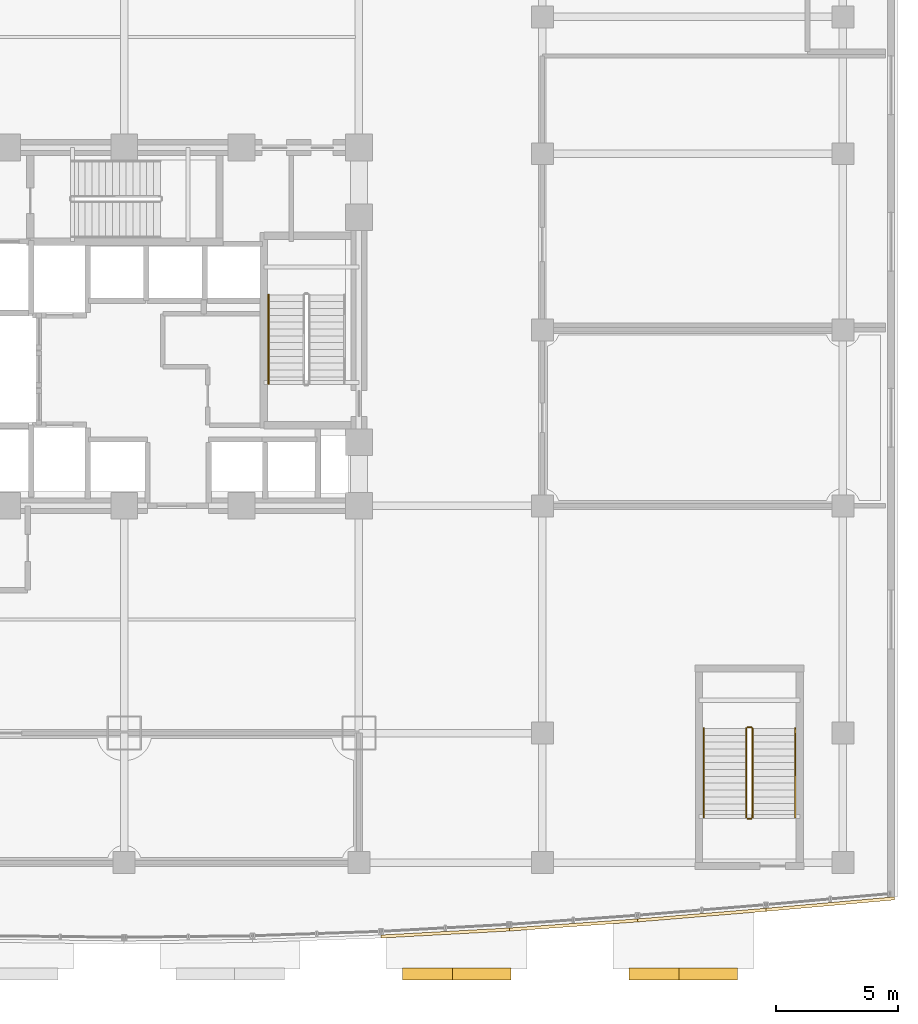
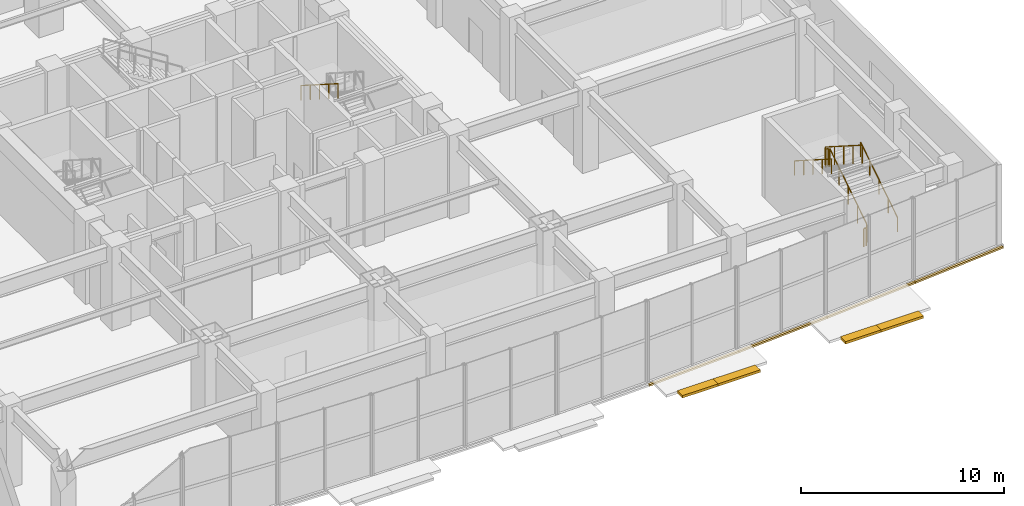
# One storey, part 19 of 24: 7 railings, 4 coverings, 4 shading devices.
"""IFC4 building model written with IfcOpenShell, lengths in metres."""

import ifcopenshell
import ifcopenshell.guid

model = None  # the IFC model being written
_history = None  # IfcOwnerHistory: only IFC2X3 demands one
_inside = {}  # id of a spatial element -> (the spatial element, [elements in it])
_under = {}  # id of a project, library or spatial element -> (it, [spatial elements below it])
_declared = {}  # id of a project -> (the project, [libraries it declares])
_typed = {}  # id of a type object -> (the type object, [elements of that type])
_made_of = {}  # id of a material, layer set ... -> (it, [elements and type objects made of it])


def new_model(schema):
    """Start an empty IFC model of exactly this schema.

    Asked for "IFC4X3", IfcOpenShell would pick the latest addendum, in which some entities
    have other attributes; the version numbers below select the first issue.
    IFC2X3 requires an IfcOwnerHistory on every rooted entity: one is made here for all.
    """
    global model, _history
    if schema == "IFC4X3":
        model = ifcopenshell.file(schema_version=(4, 3, 0, 0))
    else:
        model = ifcopenshell.file(schema=schema)
    _inside.clear()
    _under.clear()
    _declared.clear()
    _typed.clear()
    _made_of.clear()
    _history = None
    if model.schema == "IFC2X3":
        org = make("IfcOrganization", Name="unknown")
        user = make(
            "IfcPersonAndOrganization",
            ThePerson=make("IfcPerson", FamilyName="unknown"),
            TheOrganization=org,
        )
        app = make(
            "IfcApplication",
            ApplicationDeveloper=org,
            Version="unknown",
            ApplicationFullName="unknown",
            ApplicationIdentifier="unknown",
        )
        _history = make(
            "IfcOwnerHistory",
            OwningUser=user,
            OwningApplication=app,
            ChangeAction="ADDED",
            CreationDate=0,
        )
    return model


def make(cls, **values):
    """One entity of the class cls with the attributes given. An attribute that is None is left unset."""
    return model.create_entity(
        cls, **{name: value for name, value in values.items() if value is not None}
    )


def rooted(cls, **values):
    """An entity with a GlobalId (a new one), such as an element, a storey or a relation."""
    return make(cls, GlobalId=ifcopenshell.guid.new(), OwnerHistory=_history, **values)


def si_unit(unit_type, name, prefix=None):
    """IfcSIUnit, for example si_unit("LENGTHUNIT", "METRE", prefix="MILLI")."""
    return make("IfcSIUnit", UnitType=unit_type, Prefix=prefix, Name=name)


def assignment(units):
    """IfcUnitAssignment: the units of a project."""
    return None if units is None else make("IfcUnitAssignment", Units=units)


def point(xyz):
    """IfcCartesianPoint."""
    return None if xyz is None else make("IfcCartesianPoint", Coordinates=xyz)


def direction(xyz):
    """IfcDirection."""
    return None if xyz is None else make("IfcDirection", DirectionRatios=xyz)


def frame(location, z_axis=None, x_axis=None):
    """IfcAxis2Placement3D, a coordinate frame: its origin and axes. An axis left out is left unset."""
    return make(
        "IfcAxis2Placement3D",
        Location=point(location),
        Axis=direction(z_axis),
        RefDirection=direction(x_axis),
    )


def frame_2d(location, x_axis=None):
    """IfcAxis2Placement2D, a coordinate frame in the plane: its origin and x axis."""
    return make(
        "IfcAxis2Placement2D", Location=point(location), RefDirection=direction(x_axis)
    )


def origin():
    """The frame at (0, 0, 0) with its axes left unset."""
    return frame((0.0, 0.0, 0.0))


def origin_2d():
    """The frame at (0, 0) in the plane with its x axis left unset."""
    return frame_2d((0.0, 0.0))


def place(relative_to, where):
    """IfcLocalPlacement: puts the frame where relative to a parent placement (None: the world)."""
    return make(
        "IfcLocalPlacement", PlacementRelTo=relative_to, RelativePlacement=where
    )


def context(
    kind, dimensions, precision=None, world=None, true_north=None, identifier=None
):
    """IfcGeometricRepresentationContext, for example the 3D "Model" context."""
    return make(
        "IfcGeometricRepresentationContext",
        ContextIdentifier=identifier,
        ContextType=kind,
        CoordinateSpaceDimension=dimensions,
        Precision=precision,
        WorldCoordinateSystem=world,
        TrueNorth=true_north,
    )


def subcontext(parent, identifier, kind, view, scale=None):
    """IfcGeometricRepresentationSubContext, for example "Body" below "Model"."""
    return make(
        "IfcGeometricRepresentationSubContext",
        ContextIdentifier=identifier,
        ContextType=kind,
        ParentContext=parent,
        TargetScale=scale,
        TargetView=view,
    )


def project(units=None, contexts=None):
    """IfcProject with its units and contexts."""
    return rooted(
        "IfcProject",
        Name="project",
        RepresentationContexts=contexts,
        UnitsInContext=assignment(units),
    )


def spatial(cls, under=None, at=None, **own):
    """A site, building, storey or space (cls), placed at a placement, below another one or the project."""
    s = rooted(cls, ObjectPlacement=at, **own)
    if under is not None:
        _under.setdefault(under.id(), (under, []))[1].append(s)
    return s


def polyline(points):
    """IfcPolyline through the points."""
    return make("IfcPolyline", Points=[point(p) for p in points])


def profile(cls, at=None, kind="AREA", **sizes):
    """A parametric profile (cls). Its sizes go by their IFC names, for example OverallWidth=200.0."""
    return make(cls, ProfileType=kind, Position=at, **sizes)


def rectangle(**sizes):
    """IfcRectangleProfileDef."""
    return profile("IfcRectangleProfileDef", **sizes)


def outline(outer, holes=None, kind="AREA"):
    """IfcArbitraryClosedProfileDef: a profile drawn as a closed curve; with holes, ...WithVoids."""
    if holes is None:
        return make("IfcArbitraryClosedProfileDef", ProfileType=kind, OuterCurve=outer)
    return make(
        "IfcArbitraryProfileDefWithVoids",
        ProfileType=kind,
        OuterCurve=outer,
        InnerCurves=holes,
    )


def extrude(swept, where, along, depth):
    """IfcExtrudedAreaSolid: the profile swept, set in the frame where, extruded along a direction by depth."""
    return make(
        "IfcExtrudedAreaSolid",
        SweptArea=swept,
        Position=where,
        ExtrudedDirection=direction(along),
        Depth=depth,
    )


def shape(context_of_items, identifier, shape_type, items):
    """IfcShapeRepresentation: the items that make up one representation, for example the "Body"."""
    return make(
        "IfcShapeRepresentation",
        ContextOfItems=context_of_items,
        RepresentationIdentifier=identifier,
        RepresentationType=shape_type,
        Items=items,
    )


def material(Name=None, Category=None):
    """IfcMaterial."""
    return make("IfcMaterial", Name=Name, Category=Category)


def layer(
    of_material, thickness, ventilated=None, Name=None, Category=None, Priority=None
):
    """IfcMaterialLayer: one layer of a wall or slab, of a material (None: an air gap)."""
    return make(
        "IfcMaterialLayer",
        Material=of_material,
        LayerThickness=thickness,
        IsVentilated=ventilated,
        Name=Name,
        Category=Category,
        Priority=Priority,
    )


def layer_set(layers, Name=None):
    """IfcMaterialLayerSet."""
    return make("IfcMaterialLayerSet", MaterialLayers=layers, LayerSetName=Name)


def made_of(thing, what):
    """Note that an element or type object is made of a material, layer set ...; save() writes the relation."""
    if what is not None:
        _made_of.setdefault(what.id(), (what, []))[1].append(thing)
    return thing


def type_object(cls, material=None, **own):
    """A type object (cls), such as IfcWallType, which elements share."""
    return made_of(rooted(cls, **own), material)


def element(
    cls,
    number,
    at=None,
    inside=None,
    cuts=None,
    type_object=None,
    material=None,
    context=None,
    identifier="Body",
    shape_type=None,
    held_by="IfcProductDefinitionShape",
    body=None,
    shapes=None,
    **own,
):
    """One element of the class cls, such as IfcWall. Its Tag is "e" and its number.

    at: its placement. inside: the storey or other place that contains it. cuts: it is an
    opening in that element (IfcRelVoidsElement). A single representation is given by context,
    identifier, shape_type and body (its items); several are given by shapes. held_by: the class
    of the entity that holds the representations. save() writes the other relations.
    """
    e = rooted(cls, Tag="e%d" % number, ObjectPlacement=at, **own)
    if body is not None:
        shapes = [shape(context, identifier, shape_type, body)]
    if shapes is not None:
        e.Representation = make(held_by, Representations=shapes)
    if inside is not None:
        _inside.setdefault(inside.id(), (inside, []))[1].append(e)
    if cuts is not None:
        rooted(
            "IfcRelVoidsElement", RelatingBuildingElement=cuts, RelatedOpeningElement=e
        )
    if type_object is not None:
        _typed.setdefault(type_object.id(), (type_object, []))[1].append(e)
    return made_of(e, material)


def aggregate(whole, parts):
    """IfcRelAggregates: a whole, such as a stair, and the parts it consists of."""
    return rooted("IfcRelAggregates", RelatingObject=whole, RelatedObjects=parts)


def save(model, path):
    """Write the relations noted so far, then the file.

    IfcRelAggregates (storeys below a building ...), IfcRelContainedInSpatialStructure (elements
    in a storey), IfcRelDefinesByType, IfcRelAssociatesMaterial and IfcRelDeclares: one each for
    every whole, place, type object, material and project.
    """
    for whole, parts in _under.values():
        aggregate(whole, parts)
    for where, things in _inside.values():
        rooted(
            "IfcRelContainedInSpatialStructure",
            RelatedElements=things,
            RelatingStructure=where,
        )
    for kind, things in _typed.values():
        rooted("IfcRelDefinesByType", RelatedObjects=things, RelatingType=kind)
    for what, things in _made_of.values():
        rooted("IfcRelAssociatesMaterial", RelatedObjects=things, RelatingMaterial=what)
    for by, libraries in _declared.values():
        rooted("IfcRelDeclares", RelatingContext=by, RelatedDefinitions=libraries)
    model.write(path)


model = new_model("IFC4")

# Units and contexts
model_context = context("Model", 3, precision=1e-05, world=origin(), true_north=direction((0.0, 1.0)))
body_context = subcontext(model_context, "Body", "Model", "MODEL_VIEW")
ifc_project = project(units=[si_unit("LENGTHUNIT", "METRE"), si_unit("AREAUNIT", "SQUARE_METRE"), si_unit("VOLUMEUNIT", "CUBIC_METRE"), si_unit("PLANEANGLEUNIT", "RADIAN"), si_unit("MASSUNIT", "GRAM", prefix="KILO")], contexts=[model_context])

# Site, building, storey
site_placement = place(None, origin())
site = spatial("IfcSite", under=ifc_project, at=site_placement, CompositionType="ELEMENT")
building_placement = place(site_placement, origin())
building = spatial("IfcBuilding", under=site, at=building_placement, Name="Vantalir Tower", CompositionType="ELEMENT")
storey_placement = place(building_placement, frame((0.0, 0.0, 6.0)))
storey = spatial("IfcBuildingStorey", under=building, at=storey_placement, Name="L01", CompositionType="ELEMENT", Elevation=6.0)

# Coverings
ifc_material_1 = material(Name="Anodised champagne aluminium sill fascia", Category="aluminium")
ifc_layer_1 = layer(ifc_material_1, 0.125)
ifc_layer_set_1 = layer_set([ifc_layer_1], Name="Anodised champagne aluminium sill fascia")
covering_type = type_object("IfcCoveringType", Name="COV-SLAB-FASCIA-125", PredefinedType="CLADDING", material=ifc_layer_set_1)
covering_1_placement = place(storey_placement, frame((0.0, 0.0, -0.179931640625)))
element("IfcCovering", 1, at=covering_1_placement, inside=storey, type_object=covering_type, Name="Level 01 South Prow Slab-Edge Fascia 09", PredefinedType="CLADDING", context=body_context, shape_type="SweptSolid", body=[
    extrude(outline(polyline([(42.0, 0.240966796875), (42.007080078125, 0.115966796875), (47.257080078125, 0.402099609375), (47.25, 0.527099609375), (42.0, 0.240966796875)])), origin(), (0.0, 0.0, 1.0), 0.10498046875),
])
covering_2_placement = place(storey_placement, frame((0.0, 0.0, -0.179931640625)))
element("IfcCovering", 2, at=covering_2_placement, inside=storey, type_object=covering_type, Name="Level 01 South Prow Slab-Edge Fascia 10", PredefinedType="CLADDING", context=body_context, shape_type="SweptSolid", body=[
    extrude(outline(polyline([(47.25, 0.527099609375), (47.259033203125, 0.402099609375), (52.509033203125, 0.77490234375), (52.5, 0.89990234375), (47.25, 0.527099609375)])), origin(), (0.0, 0.0, 1.0), 0.10498046875),
])
covering_3_placement = place(storey_placement, frame((0.0, 0.0, -0.179931640625)))
element("IfcCovering", 3, at=covering_3_placement, inside=storey, type_object=covering_type, Name="Level 01 South Prow Slab-Edge Fascia 11", PredefinedType="CLADDING", context=body_context, shape_type="SweptSolid", body=[
    extrude(outline(polyline([(52.5, 0.89990234375), (52.510009765625, 0.77490234375), (57.760009765625, 1.208984375), (57.75, 1.333984375), (52.5, 0.89990234375)])), origin(), (0.0, 0.0, 1.0), 0.10498046875),
])
covering_4_placement = place(storey_placement, frame((0.0, 0.0, -0.179931640625)))
element("IfcCovering", 4, at=covering_4_placement, inside=storey, type_object=covering_type, Name="Level 01 South Prow Slab-Edge Fascia 12", PredefinedType="CLADDING", context=body_context, shape_type="SweptSolid", body=[
    extrude(outline(polyline([(57.75, 1.333984375), (57.760986328125, 1.208984375), (63.010986328125, 1.675048828125), (63.0, 1.800048828125), (57.75, 1.333984375)])), origin(), (0.0, 0.0, 1.0), 0.10498046875),
])

# Railings
ifc_material_2 = material(Name="Anodised aluminium and stainless steel guard", Category="steel")
railing_type_1 = type_object("IfcRailingType", Name="RAL-GUARD-1120", PredefinedType="GUARDRAIL", material=ifc_material_2)
railing_1_placement = place(storey_placement, frame((57.199951171875, 5.050048828125, 0.178466796875)))
element("IfcRailing", 5, at=railing_1_placement, inside=storey, type_object=railing_type_1, Name="Level 01 PST4 stair guard 1", PredefinedType="GUARDRAIL", context=body_context, shape_type="SweptSolid", body=[
    extrude(rectangle(XDim=0.048095703125, YDim=0.048095703125, at=origin_2d()), frame((0.0, 0.0, 1.09619140625), z_axis=(0.0, 0.843111507901, 0.53773877045), x_axis=(-1.0, 0.0, 0.0)), (0.0, 0.0, 1.0), 4.317138671875),
    extrude(rectangle(XDim=0.0419921875, YDim=0.0419921875, at=origin_2d()), origin(), (0.0, 0.0, 1.0), 1.072021484375),
    extrude(rectangle(XDim=0.0419921875, YDim=0.0419921875, at=origin_2d()), frame((0.0, 0.909912109375, 0.580322265625)), (0.0, 0.0, 1.0), 1.072021484375),
    extrude(rectangle(XDim=0.0419921875, YDim=0.0419921875, at=origin_2d()), frame((0.0, 1.81982421875, 1.16064453125)), (0.0, 0.0, 1.0), 1.072021484375),
    extrude(rectangle(XDim=0.0419921875, YDim=0.0419921875, at=origin_2d()), frame((0.0, 2.72998046875, 1.7412109375)), (0.0, 0.0, 1.0), 1.072021484375),
    extrude(rectangle(XDim=0.0419921875, YDim=0.0419921875, at=origin_2d()), frame((0.0, 3.639892578125, 2.321533203125)), (0.0, 0.0, 1.0), 1.072021484375),
])
railing_2_placement = place(storey_placement, frame((57.14990234375, 8.739990234375, 2.5)))
element("IfcRailing", 6, at=railing_2_placement, inside=storey, type_object=railing_type_1, Name="Level 01 PST4 stair guard 2", PredefinedType="GUARDRAIL", context=body_context, shape_type="SweptSolid", body=[
    extrude(rectangle(XDim=0.048095703125, YDim=0.048095703125, at=origin_2d()), frame((0.0, 0.0, 1.09619140625), z_axis=(-1.0, 0.0, 0.0), x_axis=(0.0, -1.0, 0.0)), (0.0, 0.0, 1.0), 0.14990234375),
    extrude(rectangle(XDim=0.0419921875, YDim=0.0419921875, at=origin_2d()), origin(), (0.0, 0.0, 1.0), 1.072021484375),
    extrude(rectangle(XDim=0.0419921875, YDim=0.0419921875, at=origin_2d()), frame((-0.14990234375, 0.0, 0.0)), (0.0, 0.0, 1.0), 1.072021484375),
])
railing_3_placement = place(storey_placement, frame((56.949951171875, 8.68994140625, 2.678466796875)))
element("IfcRailing", 7, at=railing_3_placement, inside=storey, type_object=railing_type_1, Name="Level 01 PST4 stair guard 3", PredefinedType="GUARDRAIL", context=body_context, shape_type="SweptSolid", body=[
    extrude(rectangle(XDim=0.048095703125, YDim=0.048095703125, at=origin_2d()), frame((0.0, 0.0, 1.09619140625), z_axis=(0.0, -0.843111507901, 0.53773877045), x_axis=(1.0, 0.0, 0.0)), (0.0, 0.0, 1.0), 4.317138671875),
    extrude(rectangle(XDim=0.0419921875, YDim=0.0419921875, at=origin_2d()), origin(), (0.0, 0.0, 1.0), 1.072021484375),
    extrude(rectangle(XDim=0.0419921875, YDim=0.0419921875, at=origin_2d()), frame((0.0, -0.909912109375, 0.580322265625)), (0.0, 0.0, 1.0), 1.072021484375),
    extrude(rectangle(XDim=0.0419921875, YDim=0.0419921875, at=origin_2d()), frame((0.0, -1.81982421875, 1.16064453125)), (0.0, 0.0, 1.0), 1.072021484375),
    extrude(rectangle(XDim=0.0419921875, YDim=0.0419921875, at=origin_2d()), frame((0.0, -2.72998046875, 1.7412109375)), (0.0, 0.0, 1.0), 1.072021484375),
    extrude(rectangle(XDim=0.0419921875, YDim=0.0419921875, at=origin_2d()), frame((0.0, -3.639892578125, 2.321533203125)), (0.0, 0.0, 1.0), 1.072021484375),
])
railing_4_placement = place(storey_placement, frame((57.14990234375, 5.0, 0.0)))
element("IfcRailing", 8, at=railing_4_placement, inside=storey, type_object=railing_type_1, Name="Level 01 PST4 stair guard 4", PredefinedType="GUARDRAIL", context=body_context, shape_type="SweptSolid", body=[
    extrude(rectangle(XDim=0.048095703125, YDim=0.048095703125, at=origin_2d()), frame((0.0, 0.0, 1.09619140625), z_axis=(-1.0, 0.0, 0.0), x_axis=(0.0, -1.0, 0.0)), (0.0, 0.0, 1.0), 0.14990234375),
    extrude(rectangle(XDim=0.0419921875, YDim=0.0419921875, at=origin_2d()), origin(), (0.0, 0.0, 1.0), 1.072021484375),
    extrude(rectangle(XDim=0.0419921875, YDim=0.0419921875, at=origin_2d()), frame((-0.14990234375, 0.0, 0.0)), (0.0, 0.0, 1.0), 1.072021484375),
])
ifc_material_3 = material(Name="Brushed stainless steel tubular handrail", Category="steel")
railing_type_2 = type_object("IfcRailingType", Name="RAL-HANDRAIL-900", PredefinedType="HANDRAIL", material=ifc_material_3)
railing_5_placement = place(storey_placement, frame((37.39990234375, 26.429931640625, 2.678466796875)))
element("IfcRailing", 9, at=railing_5_placement, inside=storey, type_object=railing_type_2, Name="Level 01 ST2 stair handrail 2", PredefinedType="HANDRAIL", context=body_context, shape_type="SweptSolid", body=[
    extrude(rectangle(XDim=0.048095703125, YDim=0.048095703125, at=origin_2d()), frame((0.0, 0.0, 0.8759765625), z_axis=(0.0, -0.843111507901, 0.53773877045), x_axis=(1.0, 0.0, 0.0)), (0.0, 0.0, 1.0), 4.317138671875),
    extrude(rectangle(XDim=0.0419921875, YDim=0.0419921875, at=origin_2d()), origin(), (0.0, 0.0, 1.0), 0.851806640625),
    extrude(rectangle(XDim=0.0419921875, YDim=0.0419921875, at=origin_2d()), frame((0.0, -0.909912109375, 0.580322265625)), (0.0, 0.0, 1.0), 0.851806640625),
    extrude(rectangle(XDim=0.0419921875, YDim=0.0419921875, at=origin_2d()), frame((0.0, -1.81982421875, 1.16064453125)), (0.0, 0.0, 1.0), 0.851806640625),
    extrude(rectangle(XDim=0.0419921875, YDim=0.0419921875, at=origin_2d()), frame((0.0, -2.72998046875, 1.7412109375)), (0.0, 0.0, 1.0), 0.851806640625),
    extrude(rectangle(XDim=0.0419921875, YDim=0.0419921875, at=origin_2d()), frame((0.0, -3.639892578125, 2.321533203125)), (0.0, 0.0, 1.0), 0.851806640625),
])
railing_6_placement = place(storey_placement, frame((58.949951171875, 5.050048828125, 0.178466796875)))
element("IfcRailing", 10, at=railing_6_placement, inside=storey, type_object=railing_type_2, Name="Level 01 PST4 stair handrail 1", PredefinedType="HANDRAIL", context=body_context, shape_type="SweptSolid", body=[
    extrude(rectangle(XDim=0.048095703125, YDim=0.048095703125, at=origin_2d()), frame((0.0, 0.0, 0.8759765625), z_axis=(0.0, 0.843111507901, 0.53773877045), x_axis=(-1.0, 0.0, 0.0)), (0.0, 0.0, 1.0), 4.317138671875),
    extrude(rectangle(XDim=0.0419921875, YDim=0.0419921875, at=origin_2d()), origin(), (0.0, 0.0, 1.0), 0.851806640625),
    extrude(rectangle(XDim=0.0419921875, YDim=0.0419921875, at=origin_2d()), frame((0.0, 0.909912109375, 0.580322265625)), (0.0, 0.0, 1.0), 0.851806640625),
    extrude(rectangle(XDim=0.0419921875, YDim=0.0419921875, at=origin_2d()), frame((0.0, 1.81982421875, 1.16064453125)), (0.0, 0.0, 1.0), 0.851806640625),
    extrude(rectangle(XDim=0.0419921875, YDim=0.0419921875, at=origin_2d()), frame((0.0, 2.72998046875, 1.7412109375)), (0.0, 0.0, 1.0), 0.851806640625),
    extrude(rectangle(XDim=0.0419921875, YDim=0.0419921875, at=origin_2d()), frame((0.0, 3.639892578125, 2.321533203125)), (0.0, 0.0, 1.0), 0.851806640625),
])
railing_7_placement = place(storey_placement, frame((55.199951171875, 8.68994140625, 2.678466796875)))
element("IfcRailing", 11, at=railing_7_placement, inside=storey, type_object=railing_type_2, Name="Level 01 PST4 stair handrail 2", PredefinedType="HANDRAIL", context=body_context, shape_type="SweptSolid", body=[
    extrude(rectangle(XDim=0.048095703125, YDim=0.048095703125, at=origin_2d()), frame((0.0, 0.0, 0.8759765625), z_axis=(0.0, -0.843111507901, 0.53773877045), x_axis=(1.0, 0.0, 0.0)), (0.0, 0.0, 1.0), 4.317138671875),
    extrude(rectangle(XDim=0.0419921875, YDim=0.0419921875, at=origin_2d()), origin(), (0.0, 0.0, 1.0), 0.851806640625),
    extrude(rectangle(XDim=0.0419921875, YDim=0.0419921875, at=origin_2d()), frame((0.0, -0.909912109375, 0.580322265625)), (0.0, 0.0, 1.0), 0.851806640625),
    extrude(rectangle(XDim=0.0419921875, YDim=0.0419921875, at=origin_2d()), frame((0.0, -1.81982421875, 1.16064453125)), (0.0, 0.0, 1.0), 0.851806640625),
    extrude(rectangle(XDim=0.0419921875, YDim=0.0419921875, at=origin_2d()), frame((0.0, -2.72998046875, 1.7412109375)), (0.0, 0.0, 1.0), 0.851806640625),
    extrude(rectangle(XDim=0.0419921875, YDim=0.0419921875, at=origin_2d()), frame((0.0, -3.639892578125, 2.321533203125)), (0.0, 0.0, 1.0), 0.851806640625),
])

# Shading devices
ifc_material_4 = material(Name="Champagne-silver PVDF aluminium SUNSHADE blade", Category="aluminium")
ifc_layer_2 = layer(ifc_material_4, 0.89990234375)
ifc_layer_set_2 = layer_set([ifc_layer_2], Name="Champagne-silver PVDF aluminium SUNSHADE blade")
shading_device_type = type_object("IfcShadingDeviceType", Name="SHD-TROPICAL-SUNSHADE", PredefinedType="AWNING", material=ifc_layer_set_2)
for number, where, z_axis, x_axis, name in (
    (12, (44.0810546875, -1.35009765625, -0.14990234375), (0.0, 0.0, 1.0), (1.0, 0.0, 0.0), "Level 01 Waterfront Horizontal SUNSHADE 05A"),
    (13, (46.118896484375, -1.35009765625, -0.14990234375), (0.0, 0.0, 1.0), (1.0, 0.0, 0.0), "Level 01 Waterfront Horizontal SUNSHADE 05B"),
    (14, (53.346923828125, -1.35009765625, -0.14990234375), (0.0, 0.0, 1.0), (1.0, 0.0, 0.0), "Level 01 Waterfront Horizontal SUNSHADE 06A"),
    (15, (55.385986328125, -1.35009765625, -0.14990234375), (0.0, 0.0, 1.0), (1.0, 0.0, 0.0), "Level 01 Waterfront Horizontal SUNSHADE 06B"),
):
    element("IfcShadingDevice", number, at=place(storey_placement, frame(where, z_axis=z_axis, x_axis=x_axis)), inside=storey, type_object=shading_device_type, Name=name, PredefinedType="AWNING", context=body_context, shape_type="SweptSolid", body=[
        extrude(rectangle(XDim=2.39990234375, YDim=0.5, at=origin_2d()), origin(), (0.0, 0.0, 1.0), 0.14990234375),
    ])

save(model, "model.ifc")
